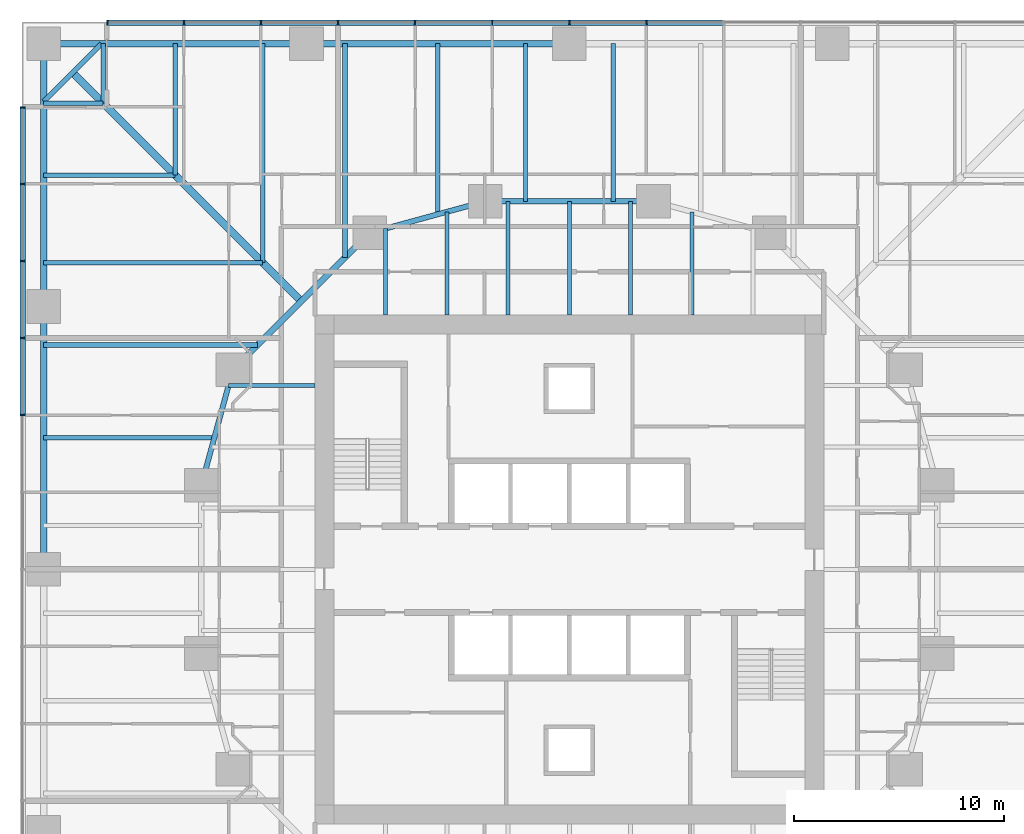
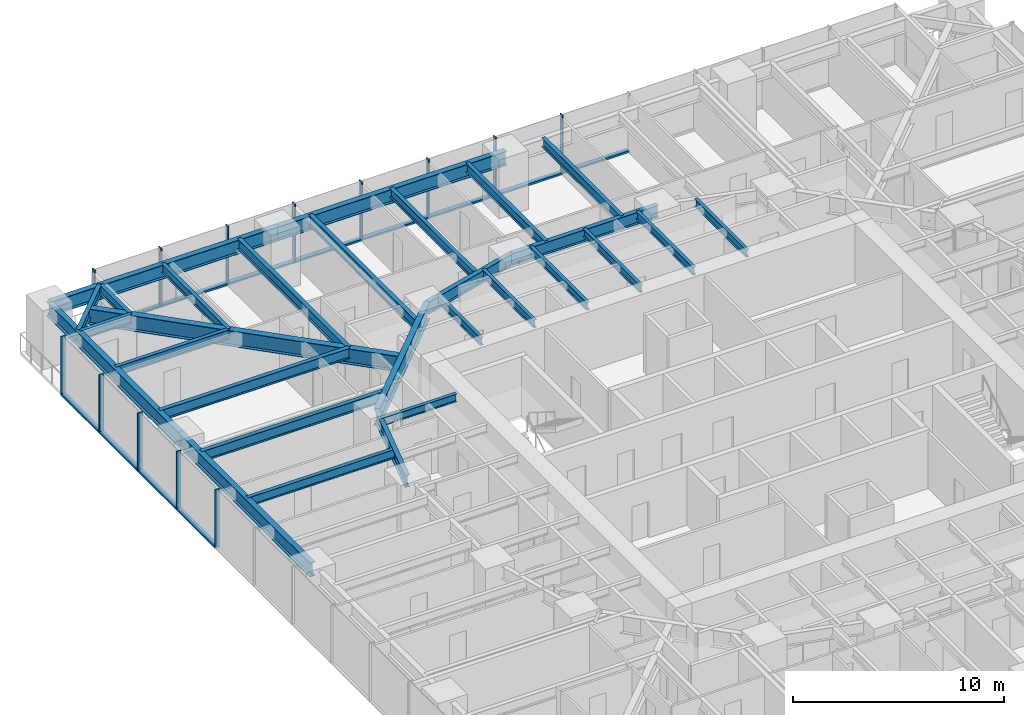
# One storey, part 5 of 18: 29 beams, 25 members, 2 elements without a shape of their own.
"""IFC4 building model written with IfcOpenShell, lengths in metres."""

from ifc_helpers import new_model, si_unit, direction, frame, origin, origin_2d, place, context, subcontext, project, spatial, rectangle, i_section, extrude, material, material_profile, profile_set, type_object, element, aggregate, save


model = new_model("IFC4")

# Units and contexts
model_context = context("Model", 3, precision=1e-05, world=origin(), true_north=direction((0.0, 1.0)))
body_context = subcontext(model_context, "Body", "Model", "MODEL_VIEW")
ifc_project = project(units=[si_unit("LENGTHUNIT", "METRE"), si_unit("AREAUNIT", "SQUARE_METRE"), si_unit("VOLUMEUNIT", "CUBIC_METRE"), si_unit("PLANEANGLEUNIT", "RADIAN"), si_unit("MASSUNIT", "GRAM", prefix="KILO")], contexts=[model_context])

# Site, building, storey
site_placement = place(None, origin())
site = spatial("IfcSite", under=ifc_project, at=site_placement, CompositionType="ELEMENT")
building_placement = place(site_placement, origin())
building = spatial("IfcBuilding", under=site, at=building_placement, Name="Torsade Residences", CompositionType="ELEMENT")
storey_placement = place(building_placement, frame((0.0, 0.0, 28.60009765625)))
storey = spatial("IfcBuildingStorey", under=building, at=storey_placement, Name="L07", CompositionType="ELEMENT", Elevation=28.60009765625)

# Beams
ifc_material_1 = material(Name="Steel grade 300", Category="steel")
ifc_material_profile_1 = material_profile(ifc_material_1, i_section(OverallWidth=0.35009765625, OverallDepth=0.909912109375, WebThickness=0.011962890625, FlangeThickness=0.02490234375, at=origin_2d()), Name="900WB218")
ifc_profile_set_1 = profile_set([ifc_material_profile_1], Name="Steel grade 300")
beam_type_1 = type_object("IfcBeamType", Name="CORNER GIRDER 900WB218", PredefinedType="BEAM", material=ifc_profile_set_1)
beam_1_placement = place(storey_placement, frame((16.375, 53.625, 2.794921875), z_axis=(0.707106781187, -0.707106781187, 0.0), x_axis=(0.707106781187, 0.707106781187, 0.0)))
element("IfcBeam", 1, at=beam_1_placement, inside=storey, type_object=beam_type_1, Name="Corner girder 13 L08", PredefinedType="BEAM", context=body_context, shape_type="SweptSolid", body=[
    extrude(i_section(OverallWidth=0.35009765625, OverallDepth=0.909912109375, WebThickness=0.011962890625, FlangeThickness=0.02490234375, at=origin_2d()), origin(), (0.0, 0.0, 1.0), 15.379638671875),
])
ifc_material_2 = material(Name="Steel grade 300", Category="steel")
ifc_material_profile_2 = material_profile(ifc_material_2, i_section(OverallWidth=0.22802734375, OverallDepth=0.60205078125, WebThickness=0.010498046875, FlangeThickness=0.014892578125, FilletRadius=0.013916015625, at=origin_2d()), Name="610UB101")
ifc_profile_set_2 = profile_set([ifc_material_profile_2], Name="Steel grade 300")
beam_type_2 = type_object("IfcBeamType", Name="CORNER TRIMMER 610UB101", PredefinedType="BEAM", material=ifc_profile_set_2)
beam_2_placement = place(storey_placement, frame((15.0, 52.25, 2.948974609375), z_axis=(0.707106781187, 0.707106781187, 0.0), x_axis=(-0.707106781187, 0.707106781187, 0.0)))
element("IfcBeam", 2, at=beam_2_placement, inside=storey, type_object=beam_type_2, Name="Corner trimmer 13 L08", PredefinedType="BEAM", context=body_context, shape_type="SweptSolid", body=[
    extrude(i_section(OverallWidth=0.22802734375, OverallDepth=0.60205078125, WebThickness=0.010498046875, FlangeThickness=0.014892578125, FilletRadius=0.013916015625, at=origin_2d()), origin(), (0.0, 0.0, 1.0), 3.88916015625),
])

# Curtain wall, members
ifc_material_3 = material(Name="Aluminium and glass", Category="aluminium")
curtain_wall_type = type_object("IfcCurtainWallType", Name="FRITTED GLASS CURTAIN WALL LOW ZONE", PredefinedType="NOTDEFINED", material=ifc_material_3)
curtain_wall_1_placement = place(storey_placement, origin())
curtain_wall_1 = element("IfcCurtainWall", 3, at=curtain_wall_1_placement, inside=storey, type_object=curtain_wall_type, Name="Curtain wall L07 face 7", PredefinedType="NOTDEFINED")
ifc_material_4 = material(Name="Aluminium mullion", Category="aluminium")
ifc_material_profile_3 = material_profile(ifc_material_4, rectangle(XDim=0.25, YDim=0.06494140625, at=origin_2d()), Name="CURTAIN WALL MULLION 250x65")
ifc_profile_set_3 = profile_set([ifc_material_profile_3], Name="Aluminium mullion")
member_type_1 = type_object("IfcMemberType", Name="CURTAIN WALL MULLION 250x65", PredefinedType="MULLION", material=ifc_profile_set_3)
member_1_placement = place(storey_placement, frame((43.666748046875, 56.0, 0.0), z_axis=(0.0, 0.0, 1.0), x_axis=(0.0, -1.0, 0.0)))
member_1 = element("IfcMember", 4, at=member_1_placement, type_object=member_type_1, Name="Mullion 6", PredefinedType="MULLION", context=body_context, shape_type="SweptSolid", body=[
    extrude(rectangle(XDim=0.25, YDim=0.06494140625, at=origin_2d()), origin(), (0.0, 0.0, 1.0), 3.39990234375),
])
member_2_placement = place(storey_placement, frame((40.0, 56.0, 0.0), z_axis=(0.0, 0.0, 1.0), x_axis=(0.0, -1.0, 0.0)))
member_2 = element("IfcMember", 5, at=member_2_placement, type_object=member_type_1, Name="Mullion 7", PredefinedType="MULLION", context=body_context, shape_type="SweptSolid", body=[
    extrude(rectangle(XDim=0.25, YDim=0.06494140625, at=origin_2d()), origin(), (0.0, 0.0, 1.0), 3.39990234375),
])
member_3_placement = place(storey_placement, frame((36.333251953125, 56.0, 0.0), z_axis=(0.0, 0.0, 1.0), x_axis=(0.0, -1.0, 0.0)))
member_3 = element("IfcMember", 6, at=member_3_placement, type_object=member_type_1, Name="Mullion 8", PredefinedType="MULLION", context=body_context, shape_type="SweptSolid", body=[
    extrude(rectangle(XDim=0.25, YDim=0.06494140625, at=origin_2d()), origin(), (0.0, 0.0, 1.0), 3.39990234375),
])
member_4_placement = place(storey_placement, frame((32.666748046875, 56.0, 0.0), z_axis=(0.0, 0.0, 1.0), x_axis=(0.0, -1.0, 0.0)))
member_4 = element("IfcMember", 7, at=member_4_placement, type_object=member_type_1, Name="Mullion 9", PredefinedType="MULLION", context=body_context, shape_type="SweptSolid", body=[
    extrude(rectangle(XDim=0.25, YDim=0.06494140625, at=origin_2d()), origin(), (0.0, 0.0, 1.0), 3.39990234375),
])
member_5_placement = place(storey_placement, frame((29.0, 56.0, 0.0), z_axis=(0.0, 0.0, 1.0), x_axis=(0.0, -1.0, 0.0)))
member_5 = element("IfcMember", 8, at=member_5_placement, type_object=member_type_1, Name="Mullion 10", PredefinedType="MULLION", context=body_context, shape_type="SweptSolid", body=[
    extrude(rectangle(XDim=0.25, YDim=0.06494140625, at=origin_2d()), origin(), (0.0, 0.0, 1.0), 3.39990234375),
])
member_6_placement = place(storey_placement, frame((25.333251953125, 56.0, 0.0), z_axis=(0.0, 0.0, 1.0), x_axis=(0.0, -1.0, 0.0)))
member_6 = element("IfcMember", 9, at=member_6_placement, type_object=member_type_1, Name="Mullion 11", PredefinedType="MULLION", context=body_context, shape_type="SweptSolid", body=[
    extrude(rectangle(XDim=0.25, YDim=0.06494140625, at=origin_2d()), origin(), (0.0, 0.0, 1.0), 3.39990234375),
])
member_7_placement = place(storey_placement, frame((21.666748046875, 56.0, 0.0), z_axis=(0.0, 0.0, 1.0), x_axis=(0.0, -1.0, 0.0)))
member_7 = element("IfcMember", 10, at=member_7_placement, type_object=member_type_1, Name="Mullion 12", PredefinedType="MULLION", context=body_context, shape_type="SweptSolid", body=[
    extrude(rectangle(XDim=0.25, YDim=0.06494140625, at=origin_2d()), origin(), (0.0, 0.0, 1.0), 3.39990234375),
])
member_8_placement = place(storey_placement, frame((18.032470703125, 56.0, 0.0), z_axis=(0.0, 0.0, 1.0), x_axis=(0.0, -1.0, 0.0)))
member_8 = element("IfcMember", 11, at=member_8_placement, type_object=member_type_1, Name="Mullion 13", PredefinedType="MULLION", context=body_context, shape_type="SweptSolid", body=[
    extrude(rectangle(XDim=0.25, YDim=0.06494140625, at=origin_2d()), origin(), (0.0, 0.0, 1.0), 3.39990234375),
])

curtain_wall_2_placement = place(storey_placement, origin())
curtain_wall_2 = element("IfcCurtainWall", 12, at=curtain_wall_2_placement, inside=storey, type_object=curtain_wall_type, Name="Curtain wall L07 face 10", PredefinedType="NOTDEFINED")
member_9_placement = place(storey_placement, frame((14.0, 51.967529296875, 0.0), z_axis=(0.0, 0.0, 1.0), x_axis=(1.0, 0.0, 0.0)))
member_9 = element("IfcMember", 13, at=member_9_placement, type_object=member_type_1, Name="Mullion 1", PredefinedType="MULLION", context=body_context, shape_type="SweptSolid", body=[
    extrude(rectangle(XDim=0.25, YDim=0.06494140625, at=origin_2d()), origin(), (0.0, 0.0, 1.0), 3.39990234375),
])
member_10_placement = place(storey_placement, frame((14.0, 48.333251953125, 0.0), z_axis=(0.0, 0.0, 1.0), x_axis=(1.0, 0.0, 0.0)))
member_10 = element("IfcMember", 14, at=member_10_placement, type_object=member_type_1, Name="Mullion 2", PredefinedType="MULLION", context=body_context, shape_type="SweptSolid", body=[
    extrude(rectangle(XDim=0.25, YDim=0.06494140625, at=origin_2d()), origin(), (0.0, 0.0, 1.0), 3.39990234375),
])
member_11_placement = place(storey_placement, frame((14.0, 44.666748046875, 0.0), z_axis=(0.0, 0.0, 1.0), x_axis=(1.0, 0.0, 0.0)))
member_11 = element("IfcMember", 15, at=member_11_placement, type_object=member_type_1, Name="Mullion 3", PredefinedType="MULLION", context=body_context, shape_type="SweptSolid", body=[
    extrude(rectangle(XDim=0.25, YDim=0.06494140625, at=origin_2d()), origin(), (0.0, 0.0, 1.0), 3.39990234375),
])
member_12_placement = place(storey_placement, frame((14.0, 41.0, 0.0), z_axis=(0.0, 0.0, 1.0), x_axis=(1.0, 0.0, 0.0)))
member_12 = element("IfcMember", 16, at=member_12_placement, type_object=member_type_1, Name="Mullion 4", PredefinedType="MULLION", context=body_context, shape_type="SweptSolid", body=[
    extrude(rectangle(XDim=0.25, YDim=0.06494140625, at=origin_2d()), origin(), (0.0, 0.0, 1.0), 3.39990234375),
])
member_13_placement = place(storey_placement, frame((14.0, 37.333251953125, 0.0), z_axis=(0.0, 0.0, 1.0), x_axis=(1.0, 0.0, 0.0)))
member_13 = element("IfcMember", 17, at=member_13_placement, type_object=member_type_1, Name="Mullion 5", PredefinedType="MULLION", context=body_context, shape_type="SweptSolid", body=[
    extrude(rectangle(XDim=0.25, YDim=0.06494140625, at=origin_2d()), origin(), (0.0, 0.0, 1.0), 3.39990234375),
])

# Member
ifc_material_5 = material(Name="Aluminium transom", Category="aluminium")
ifc_material_profile_4 = material_profile(ifc_material_5, rectangle(XDim=0.25, YDim=0.10009765625, at=origin_2d()), Name="CURTAIN WALL TRANSOM 250x100")
ifc_profile_set_4 = profile_set([ifc_material_profile_4], Name="Aluminium transom")
member_type_2 = type_object("IfcMemberType", Name="CURTAIN WALL TRANSOM 250x100", PredefinedType="USERDEFINED", material=ifc_profile_set_4)
member_14_placement = place(storey_placement, frame((47.30078125, 56.0, 0.0498046875), z_axis=(-1.0, 0.0, 0.0), x_axis=(0.0, -1.0, 0.0)))
member_14 = element("IfcMember", 18, at=member_14_placement, type_object=member_type_2, Name="Transom 5.1", ObjectType="TRANSOM", PredefinedType="USERDEFINED", context=body_context, shape_type="SweptSolid", body=[
    extrude(rectangle(XDim=0.25, YDim=0.10009765625, at=origin_2d()), origin(), (0.0, 0.0, 1.0), 3.6015625),
])

member_15_placement = place(storey_placement, frame((43.63427734375, 56.0, 0.0498046875), z_axis=(-1.0, 0.0, 0.0), x_axis=(0.0, -1.0, 0.0)))
member_15 = element("IfcMember", 19, at=member_15_placement, type_object=member_type_2, Name="Transom 6.1", ObjectType="TRANSOM", PredefinedType="USERDEFINED", context=body_context, shape_type="SweptSolid", body=[
    extrude(rectangle(XDim=0.25, YDim=0.10009765625, at=origin_2d()), origin(), (0.0, 0.0, 1.0), 3.601806640625),
])

member_16_placement = place(storey_placement, frame((39.967529296875, 56.0, 0.0498046875), z_axis=(-1.0, 0.0, 0.0), x_axis=(0.0, -1.0, 0.0)))
member_16 = element("IfcMember", 20, at=member_16_placement, type_object=member_type_2, Name="Transom 7.1", ObjectType="TRANSOM", PredefinedType="USERDEFINED", context=body_context, shape_type="SweptSolid", body=[
    extrude(rectangle(XDim=0.25, YDim=0.10009765625, at=origin_2d()), origin(), (0.0, 0.0, 1.0), 3.601806640625),
])

member_17_placement = place(storey_placement, frame((36.30078125, 56.0, 0.0498046875), z_axis=(-1.0, 0.0, 0.0), x_axis=(0.0, -1.0, 0.0)))
member_17 = element("IfcMember", 21, at=member_17_placement, type_object=member_type_2, Name="Transom 8.1", ObjectType="TRANSOM", PredefinedType="USERDEFINED", context=body_context, shape_type="SweptSolid", body=[
    extrude(rectangle(XDim=0.25, YDim=0.10009765625, at=origin_2d()), origin(), (0.0, 0.0, 1.0), 3.6015625),
])

member_18_placement = place(storey_placement, frame((32.63427734375, 56.0, 0.0498046875), z_axis=(-1.0, 0.0, 0.0), x_axis=(0.0, -1.0, 0.0)))
member_18 = element("IfcMember", 22, at=member_18_placement, type_object=member_type_2, Name="Transom 9.1", ObjectType="TRANSOM", PredefinedType="USERDEFINED", context=body_context, shape_type="SweptSolid", body=[
    extrude(rectangle(XDim=0.25, YDim=0.10009765625, at=origin_2d()), origin(), (0.0, 0.0, 1.0), 3.601806640625),
])

member_19_placement = place(storey_placement, frame((28.967529296875, 56.0, 0.0498046875), z_axis=(-1.0, 0.0, 0.0), x_axis=(0.0, -1.0, 0.0)))
member_19 = element("IfcMember", 23, at=member_19_placement, type_object=member_type_2, Name="Transom 10.1", ObjectType="TRANSOM", PredefinedType="USERDEFINED", context=body_context, shape_type="SweptSolid", body=[
    extrude(rectangle(XDim=0.25, YDim=0.10009765625, at=origin_2d()), origin(), (0.0, 0.0, 1.0), 3.601806640625),
])

member_20_placement = place(storey_placement, frame((25.30078125, 56.0, 0.0498046875), z_axis=(-1.0, 0.0, 0.0), x_axis=(0.0, -1.0, 0.0)))
member_20 = element("IfcMember", 24, at=member_20_placement, type_object=member_type_2, Name="Transom 11.1", ObjectType="TRANSOM", PredefinedType="USERDEFINED", context=body_context, shape_type="SweptSolid", body=[
    extrude(rectangle(XDim=0.25, YDim=0.10009765625, at=origin_2d()), origin(), (0.0, 0.0, 1.0), 3.6015625),
])

member_21_placement = place(storey_placement, frame((21.63427734375, 56.0, 0.0498046875), z_axis=(-1.0, 0.0, 0.0), x_axis=(0.0, -1.0, 0.0)))
member_21 = element("IfcMember", 25, at=member_21_placement, type_object=member_type_2, Name="Transom 12.1", ObjectType="TRANSOM", PredefinedType="USERDEFINED", context=body_context, shape_type="SweptSolid", body=[
    extrude(rectangle(XDim=0.25, YDim=0.10009765625, at=origin_2d()), origin(), (0.0, 0.0, 1.0), 3.5693359375),
])

aggregate(curtain_wall_1, [member_1, member_2, member_3, member_4, member_5, member_6, member_7, member_8, member_14, member_15, member_16, member_17, member_18, member_19, member_20, member_21])

member_22_placement = place(storey_placement, frame((14.0, 51.93505859375, 0.0498046875), z_axis=(0.0, -1.0, 0.0), x_axis=(1.0, 0.0, 0.0)))
member_22 = element("IfcMember", 26, at=member_22_placement, type_object=member_type_2, Name="Transom 1.1", ObjectType="TRANSOM", PredefinedType="USERDEFINED", context=body_context, shape_type="SweptSolid", body=[
    extrude(rectangle(XDim=0.25, YDim=0.10009765625, at=origin_2d()), origin(), (0.0, 0.0, 1.0), 3.5693359375),
])

member_23_placement = place(storey_placement, frame((14.0, 48.30078125, 0.0498046875), z_axis=(0.0, -1.0, 0.0), x_axis=(1.0, 0.0, 0.0)))
member_23 = element("IfcMember", 27, at=member_23_placement, type_object=member_type_2, Name="Transom 2.1", ObjectType="TRANSOM", PredefinedType="USERDEFINED", context=body_context, shape_type="SweptSolid", body=[
    extrude(rectangle(XDim=0.25, YDim=0.10009765625, at=origin_2d()), origin(), (0.0, 0.0, 1.0), 3.6015625),
])

member_24_placement = place(storey_placement, frame((14.0, 44.63427734375, 0.0498046875), z_axis=(0.0, -1.0, 0.0), x_axis=(1.0, 0.0, 0.0)))
member_24 = element("IfcMember", 28, at=member_24_placement, type_object=member_type_2, Name="Transom 3.1", ObjectType="TRANSOM", PredefinedType="USERDEFINED", context=body_context, shape_type="SweptSolid", body=[
    extrude(rectangle(XDim=0.25, YDim=0.10009765625, at=origin_2d()), origin(), (0.0, 0.0, 1.0), 3.601806640625),
])

member_25_placement = place(storey_placement, frame((14.0, 40.967529296875, 0.0498046875), z_axis=(0.0, -1.0, 0.0), x_axis=(1.0, 0.0, 0.0)))
member_25 = element("IfcMember", 29, at=member_25_placement, type_object=member_type_2, Name="Transom 4.1", ObjectType="TRANSOM", PredefinedType="USERDEFINED", context=body_context, shape_type="SweptSolid", body=[
    extrude(rectangle(XDim=0.25, YDim=0.10009765625, at=origin_2d()), origin(), (0.0, 0.0, 1.0), 3.601806640625),
])

aggregate(curtain_wall_2, [member_9, member_10, member_11, member_12, member_13, member_22, member_23, member_24, member_25])

# Beams
ifc_material_6 = material(Name="Steel grade 300", Category="steel")
ifc_material_profile_5 = material_profile(ifc_material_6, i_section(OverallWidth=0.300048828125, OverallDepth=0.81591796875, WebThickness=0.010009765625, FlangeThickness=0.028076171875, at=origin_2d()), Name="800WB192")
ifc_profile_set_5 = profile_set([ifc_material_profile_5], Name="Steel grade 300")
beam_type_3 = type_object("IfcBeamType", Name="EDGE BEAM 800WB192", PredefinedType="SPANDREL", material=ifc_profile_set_5)
for number, where, z_axis, x_axis, name in (
    (30, (40.0, 55.0, 2.841796875), (-1.0, 0.0, 0.0), (0.0, -1.0, 0.0), "Edge beam 11 L08"),
    (31, (27.5, 55.0, 2.841796875), (-1.0, 0.0, 0.0), (0.0, -1.0, 0.0), "Edge beam 12 L08"),
    (32, (15.0, 55.0, 2.841796875), (0.0, -1.0, 0.0), (1.0, 0.0, 0.0), "Edge beam 13 L08"),
    (33, (15.0, 42.5, 2.841796875), (0.0, -1.0, 0.0), (1.0, 0.0, 0.0), "Edge beam 14 L08"),
):
    element("IfcBeam", number, at=place(storey_placement, frame(where, z_axis=z_axis, x_axis=x_axis)), inside=storey, type_object=beam_type_3, Name=name, PredefinedType="SPANDREL", context=body_context, shape_type="SweptSolid", body=[
        extrude(i_section(OverallWidth=0.300048828125, OverallDepth=0.81591796875, WebThickness=0.010009765625, FlangeThickness=0.028076171875, at=origin_2d()), origin(), (0.0, 0.0, 1.0), 12.5),
    ])
ifc_material_7 = material(Name="Steel grade 300", Category="steel")
ifc_material_profile_6 = material_profile(ifc_material_7, i_section(OverallWidth=0.18994140625, OverallDepth=0.4541015625, WebThickness=0.008544921875, FlangeThickness=0.0126953125, FilletRadius=0.011474609375, at=origin_2d()), Name="460UB67.1")
ifc_profile_set_6 = profile_set([ifc_material_profile_6], Name="Steel grade 300")
beam_type_4 = type_object("IfcBeamType", Name="INNER FLOOR BEAM 460UB67.1", PredefinedType="JOIST", material=ifc_profile_set_6)
beam_3_placement = place(storey_placement, frame((31.262451171875, 42.10009765625, 3.02294921875), z_axis=(0.0, 1.0, 0.0), x_axis=(-1.0, 0.0, 0.0)))
element("IfcBeam", 34, at=beam_3_placement, inside=storey, type_object=beam_type_4, Name="Inner floor beam IN01 L08", PredefinedType="JOIST", context=body_context, shape_type="SweptSolid", body=[
    extrude(i_section(OverallWidth=0.18994140625, OverallDepth=0.4541015625, WebThickness=0.008544921875, FlangeThickness=0.0126953125, FilletRadius=0.011474609375, at=origin_2d()), origin(), (0.0, 0.0, 1.0), 4.10791015625),
])
beam_4_placement = place(storey_placement, frame((34.175048828125, 42.10009765625, 3.02294921875), z_axis=(0.0, 1.0, 0.0), x_axis=(-1.0, 0.0, 0.0)))
element("IfcBeam", 35, at=beam_4_placement, inside=storey, type_object=beam_type_4, Name="Inner floor beam IN02 L08", PredefinedType="JOIST", context=body_context, shape_type="SweptSolid", body=[
    extrude(i_section(OverallWidth=0.18994140625, OverallDepth=0.4541015625, WebThickness=0.008544921875, FlangeThickness=0.0126953125, FilletRadius=0.011474609375, at=origin_2d()), origin(), (0.0, 0.0, 1.0), 4.902099609375),
])
for number, where, z_axis, x_axis, name in (
    (36, (37.08740234375, 42.10009765625, 3.02294921875), (0.0, 1.0, 0.0), (-1.0, 0.0, 0.0), "Inner floor beam IN03 L08"),
    (37, (40.0, 42.10009765625, 3.02294921875), (0.0, 1.0, 0.0), (-1.0, 0.0, 0.0), "Inner floor beam IN04 L08"),
    (38, (42.91259765625, 42.10009765625, 3.02294921875), (0.0, 1.0, 0.0), (-1.0, 0.0, 0.0), "Inner floor beam IN05 L08"),
):
    element("IfcBeam", number, at=place(storey_placement, frame(where, z_axis=z_axis, x_axis=x_axis)), inside=storey, type_object=beam_type_4, Name=name, PredefinedType="JOIST", context=body_context, shape_type="SweptSolid", body=[
        extrude(i_section(OverallWidth=0.18994140625, OverallDepth=0.4541015625, WebThickness=0.008544921875, FlangeThickness=0.0126953125, FilletRadius=0.011474609375, at=origin_2d()), origin(), (0.0, 0.0, 1.0), 5.39990234375),
    ])
beam_5_placement = place(storey_placement, frame((45.824951171875, 42.10009765625, 3.02294921875), z_axis=(0.0, 1.0, 0.0), x_axis=(-1.0, 0.0, 0.0)))
element("IfcBeam", 39, at=beam_5_placement, inside=storey, type_object=beam_type_4, Name="Inner floor beam IN06 L08", PredefinedType="JOIST", context=body_context, shape_type="SweptSolid", body=[
    extrude(i_section(OverallWidth=0.18994140625, OverallDepth=0.4541015625, WebThickness=0.008544921875, FlangeThickness=0.0126953125, FilletRadius=0.011474609375, at=origin_2d()), origin(), (0.0, 0.0, 1.0), 4.902099609375),
])
beam_6_placement = place(storey_placement, frame((27.89990234375, 38.737548828125, 3.02294921875), z_axis=(-1.0, 0.0, 0.0), x_axis=(0.0, -1.0, 0.0)))
element("IfcBeam", 40, at=beam_6_placement, inside=storey, type_object=beam_type_4, Name="Inner floor beam IW01 L08", PredefinedType="JOIST", context=body_context, shape_type="SweptSolid", body=[
    extrude(i_section(OverallWidth=0.18994140625, OverallDepth=0.4541015625, WebThickness=0.008544921875, FlangeThickness=0.0126953125, FilletRadius=0.011474609375, at=origin_2d()), origin(), (0.0, 0.0, 1.0), 4.10791015625),
])
ifc_material_8 = material(Name="Steel grade 300", Category="steel")
ifc_material_profile_7 = material_profile(ifc_material_8, i_section(OverallWidth=0.300048828125, OverallDepth=1.0, WebThickness=0.01611328125, FlangeThickness=0.028076171875, at=origin_2d()), Name="1000WB215")
ifc_profile_set_7 = profile_set([ifc_material_profile_7], Name="Steel grade 300")
beam_type_5 = type_object("IfcBeamType", Name="RING CORNER GIRDER 1000WB215", PredefinedType="BEAM", material=ifc_profile_set_7)
beam_7_placement = place(storey_placement, frame((30.5, 46.0, 2.75), z_axis=(-0.707106781187, -0.707106781187, 0.0), x_axis=(0.707106781187, -0.707106781187, 0.0)))
element("IfcBeam", 41, at=beam_7_placement, inside=storey, type_object=beam_type_5, Name="Ring girder IR07 L08", PredefinedType="BEAM", context=body_context, shape_type="SweptSolid", body=[
    extrude(i_section(OverallWidth=0.300048828125, OverallDepth=1.0, WebThickness=0.01611328125, FlangeThickness=0.028076171875, at=origin_2d()), origin(), (0.0, 0.0, 1.0), 9.1923828125),
])
ifc_material_9 = material(Name="Steel grade 300", Category="steel")
ifc_material_profile_8 = material_profile(ifc_material_9, i_section(OverallWidth=0.25, OverallDepth=0.699951171875, WebThickness=0.010009765625, FlangeThickness=0.02001953125, at=origin_2d()), Name="700WB130")
ifc_profile_set_8 = profile_set([ifc_material_profile_8], Name="Steel grade 300")
beam_type_6 = type_object("IfcBeamType", Name="RING GIRDER 700WB130", PredefinedType="BEAM", material=ifc_profile_set_8)
beam_8_placement = place(storey_placement, frame((44.0, 47.5, 2.89990234375), z_axis=(-1.0, 0.0, 0.0), x_axis=(0.0, -1.0, 0.0)))
element("IfcBeam", 42, at=beam_8_placement, inside=storey, type_object=beam_type_6, Name="Ring girder IR05 L08", PredefinedType="BEAM", context=body_context, shape_type="SweptSolid", body=[
    extrude(i_section(OverallWidth=0.25, OverallDepth=0.699951171875, WebThickness=0.010009765625, FlangeThickness=0.02001953125, at=origin_2d()), origin(), (0.0, 0.0, 1.0), 8.0),
])
for number, where, z_axis, x_axis, name in (
    (43, (36.0, 47.5, 2.89990234375), (-0.964763821238, -0.263117405792, 0.0), (0.263117405792, -0.964763821238, 0.0), "Ring girder IR06 L08"),
    (44, (24.0, 39.5, 2.89990234375), (-0.263117405792, -0.964763821238, 0.0), (0.964763821238, -0.263117405792, 0.0), "Ring girder IR08 L08"),
):
    element("IfcBeam", number, at=place(storey_placement, frame(where, z_axis=z_axis, x_axis=x_axis)), inside=storey, type_object=beam_type_6, Name=name, PredefinedType="BEAM", context=body_context, shape_type="SweptSolid", body=[
        extrude(i_section(OverallWidth=0.25, OverallDepth=0.699951171875, WebThickness=0.010009765625, FlangeThickness=0.02001953125, at=origin_2d()), origin(), (0.0, 0.0, 1.0), 5.700927734375),
    ])
ifc_material_10 = material(Name="Steel grade 300", Category="steel")
ifc_material_profile_9 = material_profile(ifc_material_10, i_section(OverallWidth=0.208984375, OverallDepth=0.528076171875, WebThickness=0.009521484375, FlangeThickness=0.01318359375, FilletRadius=0.013916015625, at=origin_2d()), Name="530UB82.0")
ifc_profile_set_9 = profile_set([ifc_material_profile_9], Name="Steel grade 300")
beam_type_7 = type_object("IfcBeamType", Name="SECONDARY BEAM 530UB82.0", PredefinedType="JOIST", material=ifc_profile_set_9)
for number, where, z_axis, x_axis, name in (
    (45, (42.083251953125, 55.0, 2.98583984375), (0.0, -1.0, 0.0), (1.0, 0.0, 0.0), "Floor beam FN06 L08"),
    (46, (37.916748046875, 55.0, 2.98583984375), (0.0, -1.0, 0.0), (1.0, 0.0, 0.0), "Floor beam FN07 L08"),
):
    element("IfcBeam", number, at=place(storey_placement, frame(where, z_axis=z_axis, x_axis=x_axis)), inside=storey, type_object=beam_type_7, Name=name, PredefinedType="JOIST", context=body_context, shape_type="SweptSolid", body=[
        extrude(i_section(OverallWidth=0.208984375, OverallDepth=0.528076171875, WebThickness=0.009521484375, FlangeThickness=0.01318359375, FilletRadius=0.013916015625, at=origin_2d()), origin(), (0.0, 0.0, 1.0), 7.5),
    ])
beam_9_placement = place(storey_placement, frame((33.75, 55.0, 2.98583984375), z_axis=(0.0, -1.0, 0.0), x_axis=(1.0, 0.0, 0.0)))
element("IfcBeam", 47, at=beam_9_placement, inside=storey, type_object=beam_type_7, Name="Floor beam FN08 L08", PredefinedType="JOIST", context=body_context, shape_type="SweptSolid", body=[
    extrude(i_section(OverallWidth=0.208984375, OverallDepth=0.528076171875, WebThickness=0.009521484375, FlangeThickness=0.01318359375, FilletRadius=0.013916015625, at=origin_2d()), origin(), (0.0, 0.0, 1.0), 8.113525390625),
])
beam_10_placement = place(storey_placement, frame((21.25, 55.0, 2.98583984375), z_axis=(0.0, -1.0, 0.0), x_axis=(1.0, 0.0, 0.0)))
element("IfcBeam", 48, at=beam_10_placement, inside=storey, type_object=beam_type_7, Name="Floor beam FN11 L08", PredefinedType="JOIST", context=body_context, shape_type="SweptSolid", body=[
    extrude(i_section(OverallWidth=0.208984375, OverallDepth=0.528076171875, WebThickness=0.009521484375, FlangeThickness=0.01318359375, FilletRadius=0.013916015625, at=origin_2d()), origin(), (0.0, 0.0, 1.0), 6.25),
])
for number, where, z_axis, x_axis, name in (
    (49, (17.833251953125, 55.0, 2.98583984375), (0.0, -1.0, 0.0), (1.0, 0.0, 0.0), "Floor beam FN12 L08"),
    (50, (15.0, 52.166748046875, 2.98583984375), (1.0, 0.0, 0.0), (0.0, 1.0, 0.0), "Floor beam FW01 L08"),
):
    element("IfcBeam", number, at=place(storey_placement, frame(where, z_axis=z_axis, x_axis=x_axis)), inside=storey, type_object=beam_type_7, Name=name, PredefinedType="JOIST", context=body_context, shape_type="SweptSolid", body=[
        extrude(i_section(OverallWidth=0.208984375, OverallDepth=0.528076171875, WebThickness=0.009521484375, FlangeThickness=0.01318359375, FilletRadius=0.013916015625, at=origin_2d()), origin(), (0.0, 0.0, 1.0), 2.833251953125),
    ])
beam_11_placement = place(storey_placement, frame((15.0, 48.75, 2.98583984375), z_axis=(1.0, 0.0, 0.0), x_axis=(0.0, 1.0, 0.0)))
element("IfcBeam", 51, at=beam_11_placement, inside=storey, type_object=beam_type_7, Name="Floor beam FW02 L08", PredefinedType="JOIST", context=body_context, shape_type="SweptSolid", body=[
    extrude(i_section(OverallWidth=0.208984375, OverallDepth=0.528076171875, WebThickness=0.009521484375, FlangeThickness=0.01318359375, FilletRadius=0.013916015625, at=origin_2d()), origin(), (0.0, 0.0, 1.0), 6.25),
])
beam_12_placement = place(storey_placement, frame((15.0, 36.25, 2.98583984375), z_axis=(1.0, 0.0, 0.0), x_axis=(0.0, 1.0, 0.0)))
element("IfcBeam", 52, at=beam_12_placement, inside=storey, type_object=beam_type_7, Name="Floor beam FW05 L08", PredefinedType="JOIST", context=body_context, shape_type="SweptSolid", body=[
    extrude(i_section(OverallWidth=0.208984375, OverallDepth=0.528076171875, WebThickness=0.009521484375, FlangeThickness=0.01318359375, FilletRadius=0.013916015625, at=origin_2d()), origin(), (0.0, 0.0, 1.0), 8.113525390625),
])
ifc_material_11 = material(Name="Steel grade 300", Category="steel")
ifc_material_profile_10 = material_profile(ifc_material_11, i_section(OverallWidth=0.22900390625, OverallDepth=0.612060546875, WebThickness=0.011962890625, FlangeThickness=0.01953125, FilletRadius=0.013916015625, at=origin_2d()), Name="610UB125")
ifc_profile_set_10 = profile_set([ifc_material_profile_10], Name="Steel grade 300")
beam_type_8 = type_object("IfcBeamType", Name="SECONDARY BEAM 610UB125", PredefinedType="JOIST", material=ifc_profile_set_10)
beam_13_placement = place(storey_placement, frame((29.333251953125, 55.0, 2.94384765625), z_axis=(0.0, -1.0, 0.0), x_axis=(1.0, 0.0, 0.0)))
element("IfcBeam", 53, at=beam_13_placement, inside=storey, type_object=beam_type_8, Name="Floor beam FN09 L08", PredefinedType="JOIST", context=body_context, shape_type="SweptSolid", body=[
    extrude(i_section(OverallWidth=0.22900390625, OverallDepth=0.612060546875, WebThickness=0.011962890625, FlangeThickness=0.01953125, FilletRadius=0.013916015625, at=origin_2d()), origin(), (0.0, 0.0, 1.0), 10.166748046875),
])
for number, where, z_axis, x_axis, name in (
    (54, (25.416748046875, 55.0, 2.94384765625), (0.0, -1.0, 0.0), (1.0, 0.0, 0.0), "Floor beam FN10 L08"),
    (55, (15.0, 44.583251953125, 2.94384765625), (1.0, 0.0, 0.0), (0.0, 1.0, 0.0), "Floor beam FW03 L08"),
):
    element("IfcBeam", number, at=place(storey_placement, frame(where, z_axis=z_axis, x_axis=x_axis)), inside=storey, type_object=beam_type_8, Name=name, PredefinedType="JOIST", context=body_context, shape_type="SweptSolid", body=[
        extrude(i_section(OverallWidth=0.22900390625, OverallDepth=0.612060546875, WebThickness=0.011962890625, FlangeThickness=0.01953125, FilletRadius=0.013916015625, at=origin_2d()), origin(), (0.0, 0.0, 1.0), 10.416748046875),
    ])
beam_14_placement = place(storey_placement, frame((15.0, 40.666748046875, 2.94384765625), z_axis=(1.0, 0.0, 0.0), x_axis=(0.0, 1.0, 0.0)))
element("IfcBeam", 56, at=beam_14_placement, inside=storey, type_object=beam_type_8, Name="Floor beam FW04 L08", PredefinedType="JOIST", context=body_context, shape_type="SweptSolid", body=[
    extrude(i_section(OverallWidth=0.22900390625, OverallDepth=0.612060546875, WebThickness=0.011962890625, FlangeThickness=0.01953125, FilletRadius=0.013916015625, at=origin_2d()), origin(), (0.0, 0.0, 1.0), 10.166748046875),
])

save(model, "model.ifc")
